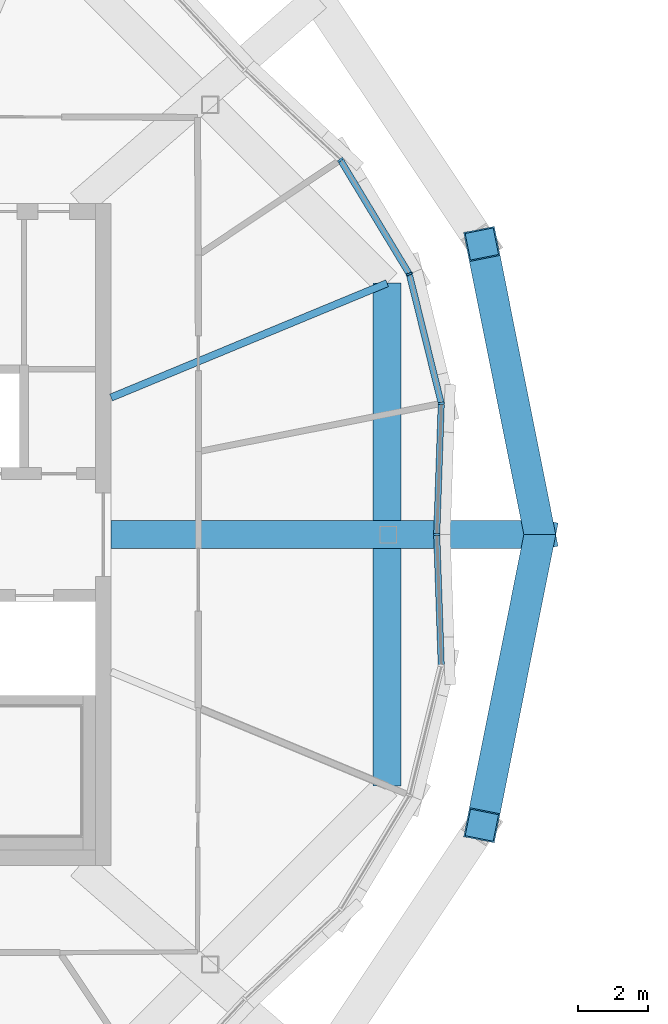
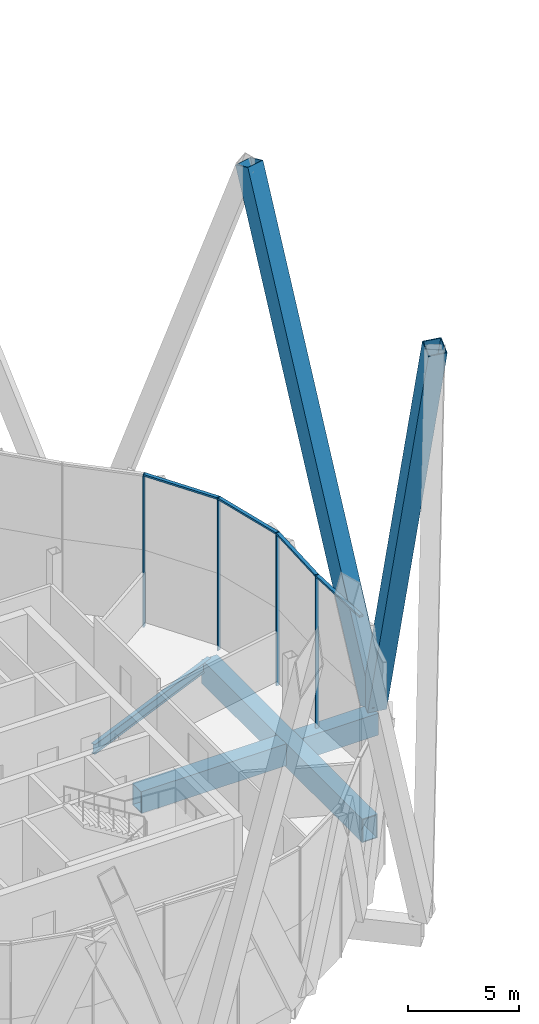
# One storey, part 7 of 38: 10 members, 3 beams, 2 elements without a shape of their own.
"""IFC4 building model written with IfcOpenShell, lengths in metres."""

from ifc_helpers import new_model, si_unit, direction, frame, origin, origin_2d, place, context, subcontext, project, spatial, rectangle, hollow_rectangle, i_section, extrude, material, material_profile, profile_set, type_object, element, aggregate, save


model = new_model("IFC4")

# Units and contexts
model_context = context("Model", 3, precision=1e-05, world=origin(), true_north=direction((0.0, 1.0)))
body_context = subcontext(model_context, "Body", "Model", "MODEL_VIEW")
ifc_project = project(units=[si_unit("LENGTHUNIT", "METRE"), si_unit("AREAUNIT", "SQUARE_METRE"), si_unit("VOLUMEUNIT", "CUBIC_METRE"), si_unit("PLANEANGLEUNIT", "RADIAN"), si_unit("MASSUNIT", "GRAM", prefix="KILO")], contexts=[model_context])

# Site, building, storey
site_placement = place(None, origin())
site = spatial("IfcSite", under=ifc_project, at=site_placement, CompositionType="ELEMENT")
building_placement = place(site_placement, origin())
building = spatial("IfcBuilding", under=site, at=building_placement, Name="Ogive Gate Towers", CompositionType="ELEMENT")
storey_placement = place(building_placement, frame((0.0, 0.0, 268.800048828125)))
storey = spatial("IfcBuildingStorey", under=building, at=storey_placement, Name="L63", CompositionType="ELEMENT", Elevation=268.800048828125)

# Members
ifc_material_1 = material(Name="Steel SM460", Category="steel")
ifc_material_profile_1 = material_profile(ifc_material_1, hollow_rectangle(XDim=0.89990234375, YDim=0.89990234375, WallThickness=0.0400390625, at=origin_2d()), Name="BX 900x900x40")
ifc_profile_set_1 = profile_set([ifc_material_profile_1], Name="Steel SM460")
member_type_1 = type_object("IfcMemberType", Name="Diagrid diagonal BX 900x900x40", PredefinedType="BRACE", material=ifc_profile_set_1)
for number, where, z_axis, x_axis, name in (
    (1, (-14.18994140625, 0.0, 0.0), (-0.062591606684, -0.313729069492, 0.947447287045), (0.980673264271, -0.195652622636, 0.0), "T1/L63/SDG001"),
    (2, (-14.18994140625, 0.0, 0.0), (-0.062591606684, 0.313729069492, 0.947447287045), (-0.980673264271, -0.195652622636, 0.0), "T1/L63/SDG002"),
):
    element("IfcMember", number, at=place(storey_placement, frame(where, z_axis=z_axis, x_axis=x_axis)), inside=storey, type_object=member_type_1, Name=name, PredefinedType="BRACE", context=body_context, shape_type="SweptSolid", body=[
        extrude(hollow_rectangle(XDim=0.89990234375, YDim=0.89990234375, WallThickness=0.0400390625, at=origin_2d()), origin(), (0.0, 0.0, 1.0), 26.59765625),
    ])

# Beams
ifc_material_profile_2 = material_profile(ifc_material_1, hollow_rectangle(XDim=0.800048828125, YDim=1.300048828125, WallThickness=0.050048828125, at=origin_2d()), Name="BX 1300x800x50")
ifc_profile_set_2 = profile_set([ifc_material_profile_2], Name="Steel SM460")
beam_type_1 = type_object("IfcBeamType", Name="Edge girder BX 1300x800x50", PredefinedType="BEAM", material=ifc_profile_set_2)
beam_1_placement = place(storey_placement, frame((-18.57568359375, -7.217529296875, -0.949951171875), z_axis=(0.0, 1.0, 0.0), x_axis=(-1.0, 0.0, 0.0)))
element("IfcBeam", 3, at=beam_1_placement, inside=storey, type_object=beam_type_1, Name="T1/L63/SBM020", PredefinedType="BEAM", context=body_context, shape_type="SweptSolid", body=[
    extrude(hollow_rectangle(XDim=0.800048828125, YDim=1.300048828125, WallThickness=0.050048828125, at=origin_2d()), origin(), (0.0, 0.0, 1.0), 14.43505859375),
])
ifc_material_2 = material(Name="Steel SM355", Category="steel")
ifc_material_profile_3 = material_profile(ifc_material_2, i_section(OverallWidth=0.2099609375, OverallDepth=0.550048828125, WebThickness=0.010986328125, FlangeThickness=0.01708984375, FilletRadius=0.02392578125, at=origin_2d()), Name="IPE 550")
ifc_profile_set_3 = profile_set([ifc_material_profile_3], Name="Steel SM355")
beam_type_2 = type_object("IfcBeamType", Name="Radial floor beam IPE 550", PredefinedType="BEAM", material=ifc_profile_set_3)
beam_2_placement = place(storey_placement, frame((-26.5, 3.93505859375, -0.574951171875), z_axis=(0.923874941579, 0.382694515667, 0.0), x_axis=(-0.382694515667, 0.923874941579, 0.0)))
element("IfcBeam", 4, at=beam_2_placement, inside=storey, type_object=beam_type_2, Name="T1/L63/SBM009", PredefinedType="BEAM", context=body_context, shape_type="SweptSolid", body=[
    extrude(i_section(OverallWidth=0.2099609375, OverallDepth=0.550048828125, WebThickness=0.010986328125, FlangeThickness=0.01708984375, FilletRadius=0.02392578125, at=origin_2d()), origin(), (0.0, 0.0, 1.0), 8.5771484375),
])

# Curtain wall, members
ifc_material_3 = material(Name="Pale metal aluminium", Category="aluminium")
curtain_wall_type = type_object("IfcCurtainWallType", Name="Tower unitised wall, high zone", PredefinedType="NOTDEFINED", material=ifc_material_3)
curtain_wall_1_placement = place(storey_placement, origin())
curtain_wall_1 = element("IfcCurtainWall", 5, at=curtain_wall_1_placement, inside=storey, type_object=curtain_wall_type, Name="CW2 T1 ECW01", PredefinedType="NOTDEFINED")
ifc_material_profile_4 = material_profile(ifc_material_3, rectangle(XDim=0.179931640625, YDim=0.06005859375, at=origin_2d()), Name="60 x 180 aluminium box")
ifc_profile_set_4 = profile_set([ifc_material_profile_4], Name="Pale metal aluminium")
member_type_2 = type_object("IfcMemberType", Name="Tower unitised wall, high zone mullion 60 x 180", PredefinedType="MULLION", material=ifc_profile_set_4)
member_1_placement = place(storey_placement, frame((-17.14990234375, 0.000244140625, -0.300048828125), z_axis=(0.0, 0.0, 1.0), x_axis=(0.999403551225, -0.034533198497, 0.0)))
member_1 = element("IfcMember", 6, at=member_1_placement, type_object=member_type_2, Name="CW2 mullion", PredefinedType="MULLION", context=body_context, shape_type="SweptSolid", body=[
    extrude(rectangle(XDim=0.179931640625, YDim=0.06005859375, at=origin_2d()), origin(), (0.0, 0.0, 1.0), 8.39990234375),
])
member_2_placement = place(storey_placement, frame((-17.01953125, 3.766845703125, -0.300048828125), z_axis=(0.0, 0.0, 1.0), x_axis=(0.994618161253, 0.103608461555, 0.0)))
member_2 = element("IfcMember", 7, at=member_2_placement, type_object=member_type_2, Name="CW2 mullion", PredefinedType="MULLION", context=body_context, shape_type="SweptSolid", body=[
    extrude(rectangle(XDim=0.179931640625, YDim=0.06005859375, at=origin_2d()), origin(), (0.0, 0.0, 1.0), 8.39990234375),
])
member_3_placement = place(storey_placement, frame((-17.93701171875, 7.48193359375, -0.300048828125), z_axis=(0.0, 0.0, 1.0), x_axis=(0.923879532511, 0.382683432365, 0.0)))
member_3 = element("IfcMember", 8, at=member_3_placement, type_object=member_type_2, Name="CW2 mullion", PredefinedType="MULLION", context=body_context, shape_type="SweptSolid", body=[
    extrude(rectangle(XDim=0.179931640625, YDim=0.06005859375, at=origin_2d()), origin(), (0.0, 0.0, 1.0), 8.39990234375),
])
member_4_placement = place(storey_placement, frame((-19.915283203125, 10.757568359375, -0.300048828125), z_axis=(0.0, 0.0, 1.0), x_axis=(0.776563492267, 0.630039000759, 0.0)))
member_4 = element("IfcMember", 9, at=member_4_placement, type_object=member_type_2, Name="CW2 mullion", PredefinedType="MULLION", context=body_context, shape_type="SweptSolid", body=[
    extrude(rectangle(XDim=0.179931640625, YDim=0.06005859375, at=origin_2d()), origin(), (0.0, 0.0, 1.0), 8.39990234375),
])
ifc_material_profile_5 = material_profile(ifc_material_3, rectangle(XDim=0.179931640625, YDim=0.10009765625, at=origin_2d()), Name="100 x 180 aluminium box")
ifc_profile_set_5 = profile_set([ifc_material_profile_5], Name="Pale metal aluminium")
member_type_3 = type_object("IfcMemberType", Name="Tower unitised wall, high zone transom 100 x 180", PredefinedType="USERDEFINED", material=ifc_profile_set_5)
member_5_placement = place(storey_placement, frame((-17.14892578125, 0.0302734375, 8.050048828125), z_axis=(0.034546130482, 0.999403104292, 0.0), x_axis=(-0.999403104292, 0.034546130482, 0.0)))
member_5 = element("IfcMember", 10, at=member_5_placement, type_object=member_type_3, Name="CW2 transom", ObjectType="TRANSOM", PredefinedType="USERDEFINED", context=body_context, shape_type="SweptSolid", body=[
    extrude(rectangle(XDim=0.179931640625, YDim=0.10009765625, at=origin_2d()), origin(), (0.0, 0.0, 1.0), 3.710205078125),
])
member_6_placement = place(storey_placement, frame((-17.026611328125, 3.794677734375, 8.050048828125), z_axis=(-0.239776231218, 0.970828181988, 0.0), x_axis=(-0.970828181988, -0.239776231218, 0.0)))
member_6 = element("IfcMember", 11, at=member_6_placement, type_object=member_type_3, Name="CW2 transom", ObjectType="TRANSOM", PredefinedType="USERDEFINED", context=body_context, shape_type="SweptSolid", body=[
    extrude(rectangle(XDim=0.179931640625, YDim=0.10009765625, at=origin_2d()), origin(), (0.0, 0.0, 1.0), 3.769287109375),
])
member_7_placement = place(storey_placement, frame((-17.951904296875, 7.506103515625, 8.050048828125), z_axis=(-0.516960440677, 0.856009288954, 0.0), x_axis=(-0.856009288954, -0.516960440677, 0.0)))
member_7 = element("IfcMember", 12, at=member_7_placement, type_object=member_type_3, Name="CW2 transom", ObjectType="TRANSOM", PredefinedType="USERDEFINED", context=body_context, shape_type="SweptSolid", body=[
    extrude(rectangle(XDim=0.179931640625, YDim=0.10009765625, at=origin_2d()), origin(), (0.0, 0.0, 1.0), 3.76953125),
])
aggregate(curtain_wall_1, [member_1, member_2, member_5, member_3, member_6, member_4, member_7])

# Curtain wall, member
curtain_wall_2_placement = place(storey_placement, origin())
curtain_wall_2 = element("IfcCurtainWall", 13, at=curtain_wall_2_placement, inside=storey, type_object=curtain_wall_type, Name="CW2 T1 ECW08", PredefinedType="NOTDEFINED")
member_8_placement = place(storey_placement, frame((-17.020751953125, -3.73828125, 8.050048828125), z_axis=(-0.034546130482, 0.999403104292, 0.0), x_axis=(-0.999403104292, -0.034546130482, 0.0)))
member_8 = element("IfcMember", 14, at=member_8_placement, type_object=member_type_3, Name="CW2 transom", ObjectType="TRANSOM", PredefinedType="USERDEFINED", context=body_context, shape_type="SweptSolid", body=[
    extrude(rectangle(XDim=0.179931640625, YDim=0.10009765625, at=origin_2d()), origin(), (0.0, 0.0, 1.0), 3.710205078125),
])
aggregate(curtain_wall_2, [member_8])

# Beam
ifc_material_profile_6 = material_profile(ifc_material_1, hollow_rectangle(XDim=0.800048828125, YDim=1.199951171875, WallThickness=0.050048828125, at=origin_2d()), Name="BX 1200x800x50")
ifc_profile_set_6 = profile_set([ifc_material_profile_6], Name="Steel SM460")
beam_type_3 = type_object("IfcBeamType", Name="Transfer radial beam BX 1200x800x50", PredefinedType="BEAM", material=ifc_profile_set_6)
beam_3_placement = place(storey_placement, frame((-26.5, 0.0, -0.900146484375), z_axis=(1.0, 0.0, 0.0), x_axis=(0.0, 1.0, 0.0)))
element("IfcBeam", 15, at=beam_3_placement, inside=storey, type_object=beam_type_3, Name="T1/L63/SBM008", PredefinedType="BEAM", context=body_context, shape_type="SweptSolid", body=[
    extrude(hollow_rectangle(XDim=0.800048828125, YDim=1.199951171875, WallThickness=0.050048828125, at=origin_2d()), origin(), (0.0, 0.0, 1.0), 12.31005859375),
])

save(model, "model.ifc")
